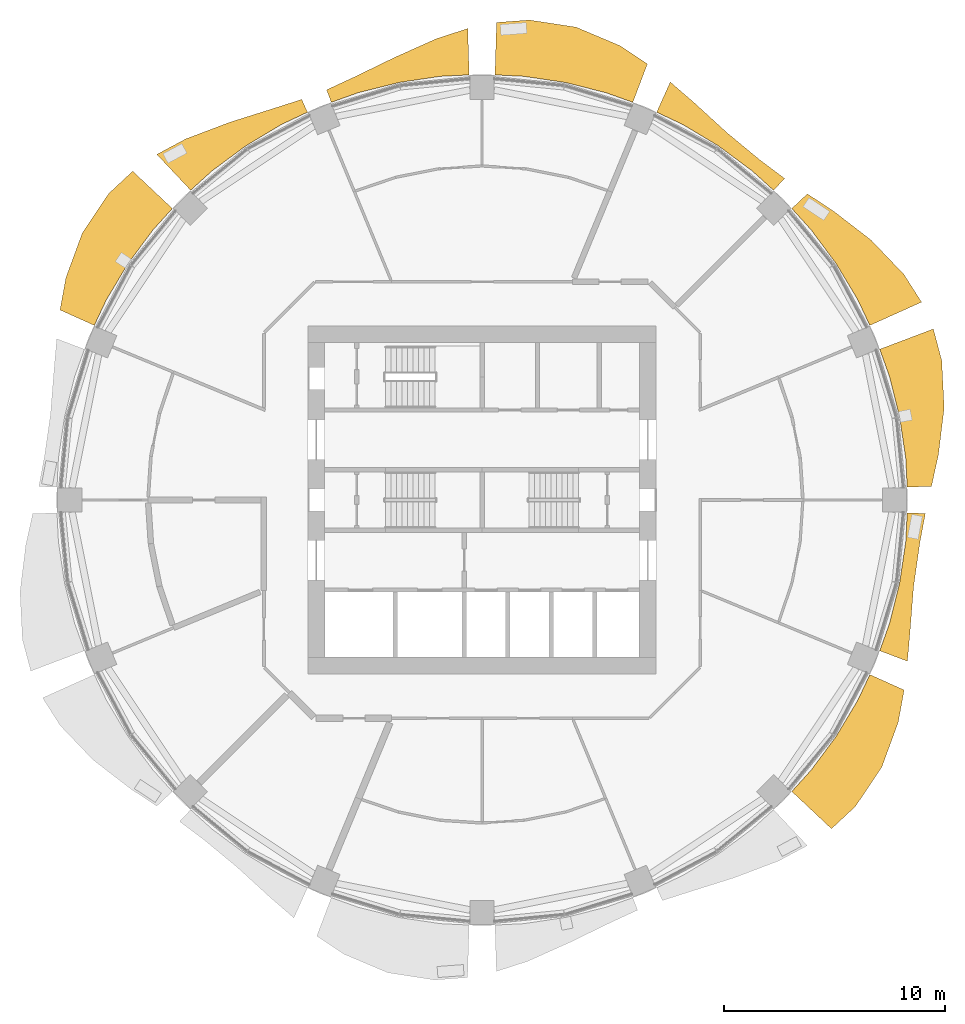
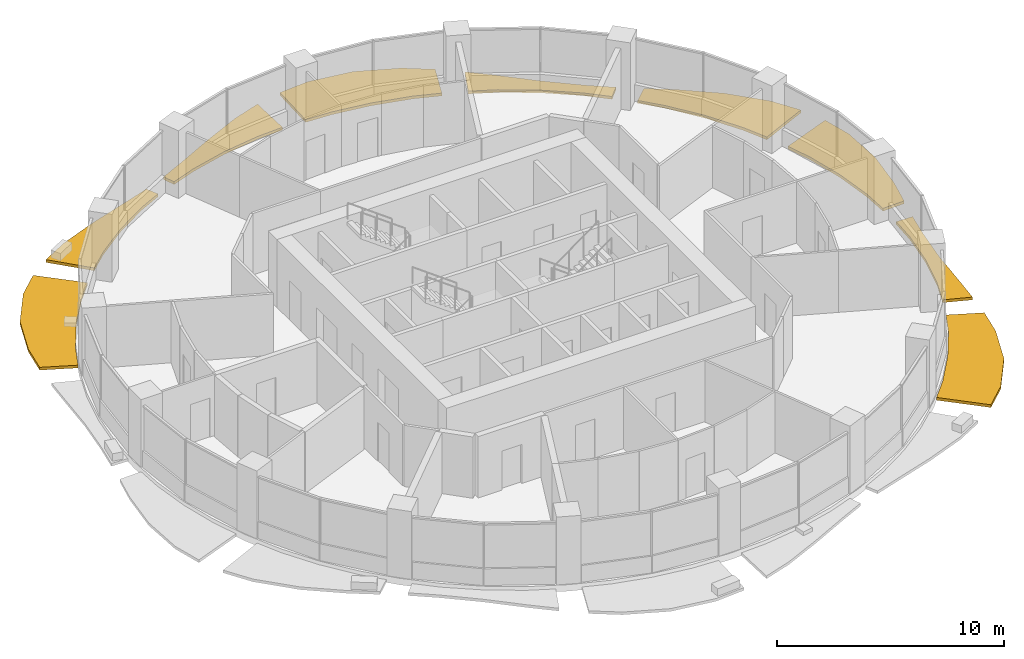
# One storey, part 13 of 14: 9 shading devices.
"""IFC4 building model written with IfcOpenShell, lengths in metres."""

from ifc_helpers import new_model, si_unit, direction, frame, origin, place, context, subcontext, project, spatial, polyline, outline, extrude, material, type_object, element, save


model = new_model("IFC4")

# Units and contexts
model_context = context("Model", 3, precision=1e-05, world=origin(), true_north=direction((0.0, 1.0)))
body_context = subcontext(model_context, "Body", "Model", "MODEL_VIEW")
ifc_project = project(units=[si_unit("LENGTHUNIT", "METRE"), si_unit("AREAUNIT", "SQUARE_METRE"), si_unit("VOLUMEUNIT", "CUBIC_METRE"), si_unit("PLANEANGLEUNIT", "RADIAN"), si_unit("MASSUNIT", "GRAM", prefix="KILO")], contexts=[model_context])

# Site, building, storey
site_placement = place(None, origin())
site = spatial("IfcSite", under=ifc_project, at=site_placement, CompositionType="ELEMENT")
building_placement = place(site_placement, origin())
building = spatial("IfcBuilding", under=site, at=building_placement, Name="Polderwave Tower", CompositionType="ELEMENT")
storey_placement = place(building_placement, frame((0.0, 0.0, 94.64990234375)))
storey = spatial("IfcBuildingStorey", under=building, at=storey_placement, Name="L24", CompositionType="ELEMENT", Elevation=94.64990234375)

# Shading devices
ifc_material = material(Name="Terracotta", Category="masonry")
shading_device_type = type_object("IfcShadingDeviceType", Name="Terracotta sunshade band", PredefinedType="USERDEFINED", material=ifc_material)
shading_device_1_placement = place(storey_placement, frame((0.0, 0.0, -0.349853515625)))
element("IfcShadingDevice", 1, at=shading_device_1_placement, inside=storey, type_object=shading_device_type, Name="Sunshade band L24 1", ObjectType="SUNSHADE", PredefinedType="USERDEFINED", context=body_context, shape_type="SweptSolid", body=[
    extrude(outline(polyline([(19.2412109375, 0.583984375), (19.17724609375, 1.888916015625), (18.899658203125, 3.759521484375), (18.440185546875, 5.59375), (18.000244140625, 6.82373046875), (20.426513671875, 7.74365234375), (20.806884765625, 6.311767578125), (20.91552734375, 4.160400390625), (20.654052734375, 2.0341796875), (20.341064453125, 0.617431640625), (19.2412109375, 0.583984375)])), origin(), (0.0, 0.0, 1.0), 0.14990234375),
])
shading_device_2_placement = place(storey_placement, frame((0.0, 0.0, -0.349853515625)))
element("IfcShadingDevice", 2, at=shading_device_2_placement, inside=storey, type_object=shading_device_type, Name="Sunshade band L24 2", ObjectType="SUNSHADE", PredefinedType="USERDEFINED", context=body_context, shape_type="SweptSolid", body=[
    extrude(outline(polyline([(17.552978515625, 7.90283203125), (16.99462890625, 9.083740234375), (16.0224609375, 10.705810546875), (14.89599609375, 12.224853515625), (14.0185546875, 13.192626953125), (14.723876953125, 13.8564453125), (15.921630859375, 13.066650390625), (17.6083984375, 11.765625), (19.097412109375, 10.207763671875), (19.892822265625, 8.956298828125), (17.552978515625, 7.90283203125)])), origin(), (0.0, 0.0, 1.0), 0.14990234375),
])
shading_device_3_placement = place(storey_placement, frame((0.0, 0.0, -0.349853515625)))
element("IfcShadingDevice", 3, at=shading_device_3_placement, inside=storey, type_object=shading_device_type, Name="Sunshade band L24 3", ObjectType="SUNSHADE", PredefinedType="USERDEFINED", context=body_context, shape_type="SweptSolid", body=[
    extrude(outline(polyline([(13.192626953125, 14.0185546875), (12.224853515625, 14.89599609375), (10.705810546875, 16.0224609375), (9.083740234375, 16.99462890625), (7.90283203125, 17.552978515625), (8.51806640625, 18.919189453125), (9.6083984375, 17.97607421875), (11.10009765625, 16.612548828125), (12.609619140625, 15.364990234375), (13.695556640625, 14.552978515625), (13.192626953125, 14.0185546875)])), origin(), (0.0, 0.0, 1.0), 0.14990234375),
])
shading_device_4_placement = place(storey_placement, frame((0.0, 0.0, -0.349853515625)))
element("IfcShadingDevice", 4, at=shading_device_4_placement, inside=storey, type_object=shading_device_type, Name="Sunshade band L24 4", ObjectType="SUNSHADE", PredefinedType="USERDEFINED", context=body_context, shape_type="SweptSolid", body=[
    extrude(outline(polyline([(6.82373046875, 18.000244140625), (5.59375, 18.440185546875), (3.759521484375, 18.899658203125), (1.888916015625, 19.17724609375), (0.583984375, 19.2412109375), (0.656005859375, 21.615478515625), (2.139892578125, 21.726806640625), (4.257080078125, 21.40234375), (6.23828125, 20.56494140625), (7.48291015625, 19.738525390625), (6.82373046875, 18.000244140625)])), origin(), (0.0, 0.0, 1.0), 0.14990234375),
])
shading_device_5_placement = place(storey_placement, frame((0.0, 0.0, -0.349853515625)))
element("IfcShadingDevice", 5, at=shading_device_5_placement, inside=storey, type_object=shading_device_type, Name="Sunshade band L24 5", ObjectType="SUNSHADE", PredefinedType="USERDEFINED", context=body_context, shape_type="SweptSolid", body=[
    extrude(outline(polyline([(-0.583984375, 19.2412109375), (-1.888916015625, 19.17724609375), (-3.759521484375, 18.899658203125), (-5.59375, 18.440185546875), (-6.82373046875, 18.000244140625), (-7.038330078125, 18.56591796875), (-5.8046875, 19.1357421875), (-3.982666015625, 20.022216796875), (-2.056884765625, 20.885009765625), (-0.647705078125, 21.340087890625), (-0.583984375, 19.2412109375)])), origin(), (0.0, 0.0, 1.0), 0.14990234375),
])
shading_device_6_placement = place(storey_placement, frame((0.0, 0.0, -0.349853515625)))
element("IfcShadingDevice", 6, at=shading_device_6_placement, inside=storey, type_object=shading_device_type, Name="Sunshade band L24 6", ObjectType="SUNSHADE", PredefinedType="USERDEFINED", context=body_context, shape_type="SweptSolid", body=[
    extrude(outline(polyline([(-7.90283203125, 17.552978515625), (-9.083740234375, 16.99462890625), (-10.705810546875, 16.0224609375), (-12.224853515625, 14.89599609375), (-13.192626953125, 14.0185546875), (-14.721923828125, 15.643798828125), (-13.4130859375, 16.34375), (-11.423828125, 17.09716796875), (-9.46826171875, 17.714111328125), (-8.163330078125, 18.13134765625), (-7.90283203125, 17.552978515625)])), origin(), (0.0, 0.0, 1.0), 0.14990234375),
])
shading_device_7_placement = place(storey_placement, frame((0.0, 0.0, -0.349853515625)))
element("IfcShadingDevice", 7, at=shading_device_7_placement, inside=storey, type_object=shading_device_type, Name="Sunshade band L24 7", ObjectType="SUNSHADE", PredefinedType="USERDEFINED", context=body_context, shape_type="SweptSolid", body=[
    extrude(outline(polyline([(-14.0185546875, 13.192626953125), (-14.89599609375, 12.224853515625), (-16.0224609375, 10.705810546875), (-16.99462890625, 9.083740234375), (-17.552978515625, 7.90283203125), (-19.10498046875, 8.6015625), (-18.83544921875, 10.067626953125), (-18.093017578125, 12.08935546875), (-16.900390625, 13.869873046875), (-15.814697265625, 14.8828125), (-14.0185546875, 13.192626953125)])), origin(), (0.0, 0.0, 1.0), 0.14990234375),
])
shading_device_8_placement = place(storey_placement, frame((0.0, 0.0, -0.349853515625)))
element("IfcShadingDevice", 8, at=shading_device_8_placement, inside=storey, type_object=shading_device_type, Name="Sunshade band L24 15", ObjectType="SUNSHADE", PredefinedType="USERDEFINED", context=body_context, shape_type="SweptSolid", body=[
    extrude(outline(polyline([(14.0185546875, -13.192626953125), (14.89599609375, -12.224853515625), (16.0224609375, -10.705810546875), (16.99462890625, -9.083740234375), (17.552978515625, -7.90283203125), (19.10498046875, -8.6015625), (18.83544921875, -10.067626953125), (18.093017578125, -12.08935546875), (16.900390625, -13.869873046875), (15.814697265625, -14.8828125), (14.0185546875, -13.192626953125)])), origin(), (0.0, 0.0, 1.0), 0.14990234375),
])
shading_device_9_placement = place(storey_placement, frame((0.0, 0.0, -0.349853515625)))
element("IfcShadingDevice", 9, at=shading_device_9_placement, inside=storey, type_object=shading_device_type, Name="Sunshade band L24 16", ObjectType="SUNSHADE", PredefinedType="USERDEFINED", context=body_context, shape_type="SweptSolid", body=[
    extrude(outline(polyline([(18.000244140625, -6.82373046875), (18.440185546875, -5.59375), (18.899658203125, -3.759521484375), (19.17724609375, -1.888916015625), (19.2412109375, -0.583984375), (20.0654296875, -0.609130859375), (19.81201171875, -1.951416015625), (19.53564453125, -3.885986328125), (19.377685546875, -5.878173828125), (19.25390625, -7.299072265625), (18.000244140625, -6.82373046875)])), origin(), (0.0, 0.0, 1.0), 0.14990234375),
])

save(model, "model.ifc")
